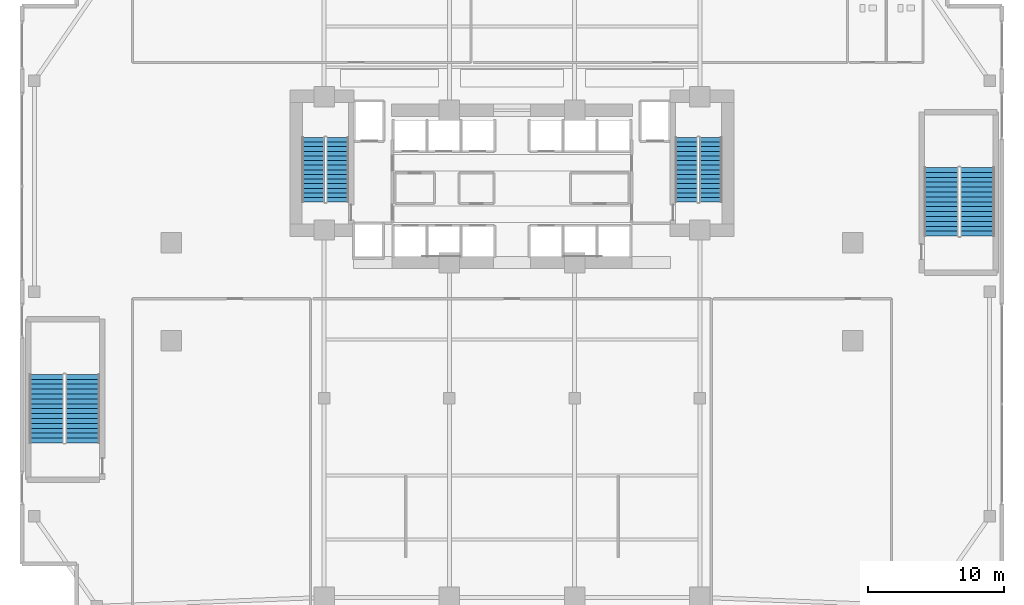
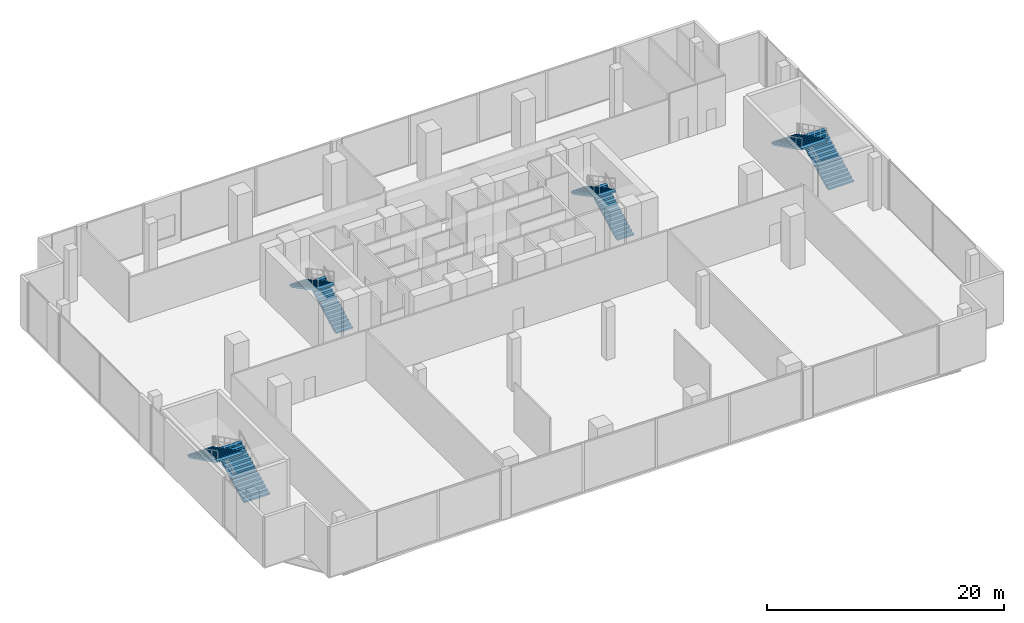
# One storey, part 26 of 30: 8 stair flights, 4 elements without a shape of their own.
"""IFC4 building model written with IfcOpenShell, lengths in metres."""

from ifc_helpers import new_model, si_unit, direction, frame, origin, place, context, subcontext, project, spatial, polyline, outline, extrude, material, layer, layer_set, type_object, element, aggregate, save


model = new_model("IFC4")

# Units and contexts
model_context = context("Model", 3, precision=1e-05, world=origin(), true_north=direction((0.0, 1.0)))
body_context = subcontext(model_context, "Body", "Model", "MODEL_VIEW")
ifc_project = project(units=[si_unit("LENGTHUNIT", "METRE"), si_unit("AREAUNIT", "SQUARE_METRE"), si_unit("VOLUMEUNIT", "CUBIC_METRE"), si_unit("PLANEANGLEUNIT", "RADIAN"), si_unit("MASSUNIT", "GRAM", prefix="KILO")], contexts=[model_context])

# Site, building, storey
site_placement = place(None, origin())
site = spatial("IfcSite", under=ifc_project, at=site_placement, CompositionType="ELEMENT")
building_placement = place(site_placement, origin())
building = spatial("IfcBuilding", under=site, at=building_placement, Name="Zuhayl Quay Hotel", CompositionType="ELEMENT")
storey_placement = place(building_placement, frame((0.0, 0.0, 6.0)))
storey = spatial("IfcBuildingStorey", under=building, at=storey_placement, Name="L01", CompositionType="ELEMENT", Elevation=6.0)

# Stair, stair flights
ifc_material = material(Name="Concrete C45/55", Category="concrete")
stair_type_1 = type_object("IfcStairType", Name="ST_DOGLEG_PODIUM", PredefinedType="HALF_TURN_STAIR", material=ifc_material)
stair_1_placement = place(storey_placement, origin())
stair_1 = element("IfcStair", 1, at=stair_1_placement, inside=storey, type_object=stair_type_1, Name="L01 Smokeproof Exit Stair ST3", PredefinedType="HALF_TURN_STAIR")
ifc_layer_1 = layer(ifc_material, 0.159912109375, Name="Concrete C45/55", Category="concrete")
ifc_layer_set_1 = layer_set([ifc_layer_1], Name="Concrete C45/55")
stair_flight_type_1 = type_object("IfcStairFlightType", Name="SF_CONC_160", PredefinedType="STRAIGHT", material=ifc_layer_set_1)
stair_flight_1_placement = place(storey_placement, frame((-31.550048828125, -11.10009765625, 0.0), z_axis=(0.0, 0.0, 1.0), x_axis=(0.0, 1.0, 0.0)))
stair_flight_1 = element("IfcStairFlight", 2, at=stair_flight_1_placement, type_object=stair_flight_type_1, Name="ST3 flight 1", NumberOfRisers=15, NumberOfTreads=14, PredefinedType="STRAIGHT", RiserHeight=0.18, TreadLength=0.36, context=body_context, shape_type="SweptSolid", body=[
    extrude(outline(polyline([(0.0, 0.0), (0.0, 0.179931640625), (0.360107421875, 0.179931640625), (0.360107421875, 0.360107421875), (0.719970703125, 0.360107421875), (0.719970703125, 0.5400390625), (1.080078125, 0.5400390625), (1.080078125, 0.719970703125), (1.43994140625, 0.719970703125), (1.43994140625, 0.89990234375), (1.800048828125, 0.89990234375), (1.800048828125, 1.080078125), (2.159912109375, 1.080078125), (2.159912109375, 1.260009765625), (2.52001953125, 1.260009765625), (2.52001953125, 1.43994140625), (2.8798828125, 1.43994140625), (2.8798828125, 1.6201171875), (3.239990234375, 1.6201171875), (3.239990234375, 1.800048828125), (3.60009765625, 1.800048828125), (3.60009765625, 1.97998046875), (3.9599609375, 1.97998046875), (3.9599609375, 2.159912109375), (4.320068359375, 2.159912109375), (4.320068359375, 2.340087890625), (4.679931640625, 2.340087890625), (4.679931640625, 2.52001953125), (5.0400390625, 2.52001953125), (5.0400390625, 2.699951171875), (5.0400390625, 2.352294921875), (0.335205078125, 0.0), (0.0, 0.0)])), frame((0.0, 1.25, 0.0), z_axis=(0.0, -1.0, 0.0), x_axis=(1.0, 0.0, 0.0)), (0.0, 0.0, 1.0), 2.5),
])
stair_flight_2_placement = place(storey_placement, frame((-34.199951171875, -6.06005859375, 2.699951171875), z_axis=(0.0, 0.0, 1.0), x_axis=(0.0, -1.0, 0.0)))
stair_flight_2 = element("IfcStairFlight", 3, at=stair_flight_2_placement, type_object=stair_flight_type_1, Name="ST3 flight 2", NumberOfRisers=15, NumberOfTreads=14, PredefinedType="STRAIGHT", RiserHeight=0.18, TreadLength=0.36, context=body_context, shape_type="SweptSolid", body=[
    extrude(outline(polyline([(0.0, 0.0), (0.0, 0.179931640625), (0.360107421875, 0.179931640625), (0.360107421875, 0.360107421875), (0.719970703125, 0.360107421875), (0.719970703125, 0.5400390625), (1.080078125, 0.5400390625), (1.080078125, 0.719970703125), (1.43994140625, 0.719970703125), (1.43994140625, 0.89990234375), (1.800048828125, 0.89990234375), (1.800048828125, 1.080078125), (2.159912109375, 1.080078125), (2.159912109375, 1.260009765625), (2.52001953125, 1.260009765625), (2.52001953125, 1.43994140625), (2.8798828125, 1.43994140625), (2.8798828125, 1.6201171875), (3.239990234375, 1.6201171875), (3.239990234375, 1.800048828125), (3.60009765625, 1.800048828125), (3.60009765625, 1.97998046875), (3.9599609375, 1.97998046875), (3.9599609375, 2.159912109375), (4.320068359375, 2.159912109375), (4.320068359375, 2.340087890625), (4.679931640625, 2.340087890625), (4.679931640625, 2.52001953125), (5.0400390625, 2.52001953125), (5.0400390625, 2.699951171875), (5.0400390625, 2.352294921875), (0.335205078125, 0.0), (0.0, 0.0)])), frame((0.0, 1.25, 0.0), z_axis=(0.0, -1.0, 0.0), x_axis=(1.0, 0.0, 0.0)), (0.0, 0.0, 1.0), 2.5),
])
aggregate(stair_1, [stair_flight_1, stair_flight_2])

stair_2_placement = place(storey_placement, origin())
stair_2 = element("IfcStair", 4, at=stair_2_placement, inside=storey, type_object=stair_type_1, Name="L01 Smokeproof Exit Stair ST4", PredefinedType="HALF_TURN_STAIR")
stair_flight_3_placement = place(storey_placement, frame((34.199951171875, 4.10009765625, 0.0), z_axis=(0.0, 0.0, 1.0), x_axis=(0.0, 1.0, 0.0)))
stair_flight_3 = element("IfcStairFlight", 5, at=stair_flight_3_placement, type_object=stair_flight_type_1, Name="ST4 flight 1", NumberOfRisers=15, NumberOfTreads=14, PredefinedType="STRAIGHT", RiserHeight=0.18, TreadLength=0.36, context=body_context, shape_type="SweptSolid", body=[
    extrude(outline(polyline([(0.0, 0.0), (0.0, 0.179931640625), (0.360107421875, 0.179931640625), (0.360107421875, 0.360107421875), (0.719970703125, 0.360107421875), (0.719970703125, 0.5400390625), (1.080078125, 0.5400390625), (1.080078125, 0.719970703125), (1.43994140625, 0.719970703125), (1.43994140625, 0.89990234375), (1.800048828125, 0.89990234375), (1.800048828125, 1.080078125), (2.159912109375, 1.080078125), (2.159912109375, 1.260009765625), (2.52001953125, 1.260009765625), (2.52001953125, 1.43994140625), (2.8798828125, 1.43994140625), (2.8798828125, 1.6201171875), (3.239990234375, 1.6201171875), (3.239990234375, 1.800048828125), (3.60009765625, 1.800048828125), (3.60009765625, 1.97998046875), (3.9599609375, 1.97998046875), (3.9599609375, 2.159912109375), (4.320068359375, 2.159912109375), (4.320068359375, 2.340087890625), (4.679931640625, 2.340087890625), (4.679931640625, 2.52001953125), (5.0400390625, 2.52001953125), (5.0400390625, 2.699951171875), (5.0400390625, 2.352294921875), (0.335205078125, 0.0), (0.0, 0.0)])), frame((0.0, 1.25, 0.0), z_axis=(0.0, -1.0, 0.0), x_axis=(1.0, 0.0, 0.0)), (0.0, 0.0, 1.0), 2.5),
])
stair_flight_4_placement = place(storey_placement, frame((31.550048828125, 9.139892578125, 2.699951171875), z_axis=(0.0, 0.0, 1.0), x_axis=(0.0, -1.0, 0.0)))
stair_flight_4 = element("IfcStairFlight", 6, at=stair_flight_4_placement, type_object=stair_flight_type_1, Name="ST4 flight 2", NumberOfRisers=15, NumberOfTreads=14, PredefinedType="STRAIGHT", RiserHeight=0.18, TreadLength=0.36, context=body_context, shape_type="SweptSolid", body=[
    extrude(outline(polyline([(0.0, 0.0), (0.0, 0.179931640625), (0.360107421875, 0.179931640625), (0.360107421875, 0.360107421875), (0.719970703125, 0.360107421875), (0.719970703125, 0.5400390625), (1.080078125, 0.5400390625), (1.080078125, 0.719970703125), (1.43994140625, 0.719970703125), (1.43994140625, 0.89990234375), (1.800048828125, 0.89990234375), (1.800048828125, 1.080078125), (2.159912109375, 1.080078125), (2.159912109375, 1.260009765625), (2.52001953125, 1.260009765625), (2.52001953125, 1.43994140625), (2.8798828125, 1.43994140625), (2.8798828125, 1.6201171875), (3.239990234375, 1.6201171875), (3.239990234375, 1.800048828125), (3.60009765625, 1.800048828125), (3.60009765625, 1.97998046875), (3.9599609375, 1.97998046875), (3.9599609375, 2.159912109375), (4.320068359375, 2.159912109375), (4.320068359375, 2.340087890625), (4.679931640625, 2.340087890625), (4.679931640625, 2.52001953125), (5.0400390625, 2.52001953125), (5.0400390625, 2.699951171875), (5.0400390625, 2.352294921875), (0.335205078125, 0.0), (0.0, 0.0)])), frame((0.0, 1.25, 0.0), z_axis=(0.0, -1.0, 0.0), x_axis=(1.0, 0.0, 0.0)), (0.0, 0.0, 1.0), 2.5),
])
aggregate(stair_2, [stair_flight_3, stair_flight_4])

stair_type_2 = type_object("IfcStairType", Name="ST_DOGLEG_TOWER", PredefinedType="HALF_TURN_STAIR", material=ifc_material)
stair_3_placement = place(storey_placement, origin())
stair_3 = element("IfcStair", 7, at=stair_3_placement, inside=storey, type_object=stair_type_2, Name="L01 Smokeproof Exit Stair ST1", PredefinedType="HALF_TURN_STAIR")
ifc_layer_2 = layer(ifc_material, 0.159912109375, Name="Concrete C45/55", Category="concrete")
ifc_layer_set_2 = layer_set([ifc_layer_2], Name="Concrete C45/55")
stair_flight_type_2 = type_object("IfcStairFlightType", Name="SF_CONC_164", PredefinedType="STRAIGHT", material=ifc_layer_set_2)
stair_flight_5_placement = place(storey_placement, frame((-12.820068359375, 6.590087890625, 0.0), z_axis=(0.0, 0.0, 1.0), x_axis=(0.0, 1.0, 0.0)))
stair_flight_5 = element("IfcStairFlight", 8, at=stair_flight_5_placement, type_object=stair_flight_type_2, Name="ST1 flight 1", NumberOfRisers=15, NumberOfTreads=14, PredefinedType="STRAIGHT", RiserHeight=0.18, TreadLength=0.34, context=body_context, shape_type="SweptSolid", body=[
    extrude(outline(polyline([(0.0, 0.0), (0.0, 0.179931640625), (0.340087890625, 0.179931640625), (0.340087890625, 0.360107421875), (0.679931640625, 0.360107421875), (0.679931640625, 0.5400390625), (1.02001953125, 0.5400390625), (1.02001953125, 0.719970703125), (1.360107421875, 0.719970703125), (1.360107421875, 0.89990234375), (1.699951171875, 0.89990234375), (1.699951171875, 1.080078125), (2.0400390625, 1.080078125), (2.0400390625, 1.260009765625), (2.3798828125, 1.260009765625), (2.3798828125, 1.43994140625), (2.719970703125, 1.43994140625), (2.719970703125, 1.6201171875), (3.06005859375, 1.6201171875), (3.06005859375, 1.800048828125), (3.39990234375, 1.800048828125), (3.39990234375, 1.97998046875), (3.739990234375, 1.97998046875), (3.739990234375, 2.159912109375), (4.080078125, 2.159912109375), (4.080078125, 2.340087890625), (4.419921875, 2.340087890625), (4.419921875, 2.52001953125), (4.760009765625, 2.52001953125), (4.760009765625, 2.699951171875), (4.760009765625, 2.350341796875), (0.3203125, 0.0), (0.0, 0.0)])), frame((0.0, 0.81982421875, 0.0), z_axis=(0.0, -1.0, 0.0), x_axis=(1.0, 0.0, 0.0)), (0.0, 0.0, 1.0), 1.639892578125),
])
stair_flight_6_placement = place(storey_placement, frame((-14.610107421875, 11.35009765625, 2.699951171875), z_axis=(0.0, 0.0, 1.0), x_axis=(0.0, -1.0, 0.0)))
stair_flight_6 = element("IfcStairFlight", 9, at=stair_flight_6_placement, type_object=stair_flight_type_2, Name="ST1 flight 2", NumberOfRisers=15, NumberOfTreads=14, PredefinedType="STRAIGHT", RiserHeight=0.18, TreadLength=0.34, context=body_context, shape_type="SweptSolid", body=[
    extrude(outline(polyline([(0.0, 0.0), (0.0, 0.179931640625), (0.340087890625, 0.179931640625), (0.340087890625, 0.360107421875), (0.679931640625, 0.360107421875), (0.679931640625, 0.5400390625), (1.02001953125, 0.5400390625), (1.02001953125, 0.719970703125), (1.360107421875, 0.719970703125), (1.360107421875, 0.89990234375), (1.699951171875, 0.89990234375), (1.699951171875, 1.080078125), (2.0400390625, 1.080078125), (2.0400390625, 1.260009765625), (2.3798828125, 1.260009765625), (2.3798828125, 1.43994140625), (2.719970703125, 1.43994140625), (2.719970703125, 1.6201171875), (3.06005859375, 1.6201171875), (3.06005859375, 1.800048828125), (3.39990234375, 1.800048828125), (3.39990234375, 1.97998046875), (3.739990234375, 1.97998046875), (3.739990234375, 2.159912109375), (4.080078125, 2.159912109375), (4.080078125, 2.340087890625), (4.419921875, 2.340087890625), (4.419921875, 2.52001953125), (4.760009765625, 2.52001953125), (4.760009765625, 2.699951171875), (4.760009765625, 2.350341796875), (0.3203125, 0.0), (0.0, 0.0)])), frame((0.0, 0.81982421875, 0.0), z_axis=(0.0, -1.0, 0.0), x_axis=(1.0, 0.0, 0.0)), (0.0, 0.0, 1.0), 1.639892578125),
])
aggregate(stair_3, [stair_flight_5, stair_flight_6])

stair_4_placement = place(storey_placement, origin())
stair_4 = element("IfcStair", 10, at=stair_4_placement, inside=storey, type_object=stair_type_2, Name="L01 Smokeproof Exit Stair ST2", PredefinedType="HALF_TURN_STAIR")
stair_flight_7_placement = place(storey_placement, frame((14.610107421875, 6.590087890625, 0.0), z_axis=(0.0, 0.0, 1.0), x_axis=(0.0, 1.0, 0.0)))
stair_flight_7 = element("IfcStairFlight", 11, at=stair_flight_7_placement, type_object=stair_flight_type_2, Name="ST2 flight 1", NumberOfRisers=15, NumberOfTreads=14, PredefinedType="STRAIGHT", RiserHeight=0.18, TreadLength=0.34, context=body_context, shape_type="SweptSolid", body=[
    extrude(outline(polyline([(0.0, 0.0), (0.0, 0.179931640625), (0.340087890625, 0.179931640625), (0.340087890625, 0.360107421875), (0.679931640625, 0.360107421875), (0.679931640625, 0.5400390625), (1.02001953125, 0.5400390625), (1.02001953125, 0.719970703125), (1.360107421875, 0.719970703125), (1.360107421875, 0.89990234375), (1.699951171875, 0.89990234375), (1.699951171875, 1.080078125), (2.0400390625, 1.080078125), (2.0400390625, 1.260009765625), (2.3798828125, 1.260009765625), (2.3798828125, 1.43994140625), (2.719970703125, 1.43994140625), (2.719970703125, 1.6201171875), (3.06005859375, 1.6201171875), (3.06005859375, 1.800048828125), (3.39990234375, 1.800048828125), (3.39990234375, 1.97998046875), (3.739990234375, 1.97998046875), (3.739990234375, 2.159912109375), (4.080078125, 2.159912109375), (4.080078125, 2.340087890625), (4.419921875, 2.340087890625), (4.419921875, 2.52001953125), (4.760009765625, 2.52001953125), (4.760009765625, 2.699951171875), (4.760009765625, 2.350341796875), (0.3203125, 0.0), (0.0, 0.0)])), frame((0.0, 0.81982421875, 0.0), z_axis=(0.0, -1.0, 0.0), x_axis=(1.0, 0.0, 0.0)), (0.0, 0.0, 1.0), 1.639892578125),
])
stair_flight_8_placement = place(storey_placement, frame((12.820068359375, 11.35009765625, 2.699951171875), z_axis=(0.0, 0.0, 1.0), x_axis=(0.0, -1.0, 0.0)))
stair_flight_8 = element("IfcStairFlight", 12, at=stair_flight_8_placement, type_object=stair_flight_type_2, Name="ST2 flight 2", NumberOfRisers=15, NumberOfTreads=14, PredefinedType="STRAIGHT", RiserHeight=0.18, TreadLength=0.34, context=body_context, shape_type="SweptSolid", body=[
    extrude(outline(polyline([(0.0, 0.0), (0.0, 0.179931640625), (0.340087890625, 0.179931640625), (0.340087890625, 0.360107421875), (0.679931640625, 0.360107421875), (0.679931640625, 0.5400390625), (1.02001953125, 0.5400390625), (1.02001953125, 0.719970703125), (1.360107421875, 0.719970703125), (1.360107421875, 0.89990234375), (1.699951171875, 0.89990234375), (1.699951171875, 1.080078125), (2.0400390625, 1.080078125), (2.0400390625, 1.260009765625), (2.3798828125, 1.260009765625), (2.3798828125, 1.43994140625), (2.719970703125, 1.43994140625), (2.719970703125, 1.6201171875), (3.06005859375, 1.6201171875), (3.06005859375, 1.800048828125), (3.39990234375, 1.800048828125), (3.39990234375, 1.97998046875), (3.739990234375, 1.97998046875), (3.739990234375, 2.159912109375), (4.080078125, 2.159912109375), (4.080078125, 2.340087890625), (4.419921875, 2.340087890625), (4.419921875, 2.52001953125), (4.760009765625, 2.52001953125), (4.760009765625, 2.699951171875), (4.760009765625, 2.350341796875), (0.3203125, 0.0), (0.0, 0.0)])), frame((0.0, 0.81982421875, 0.0), z_axis=(0.0, -1.0, 0.0), x_axis=(1.0, 0.0, 0.0)), (0.0, 0.0, 1.0), 1.639892578125),
])
aggregate(stair_4, [stair_flight_7, stair_flight_8])

save(model, "model.ifc")
